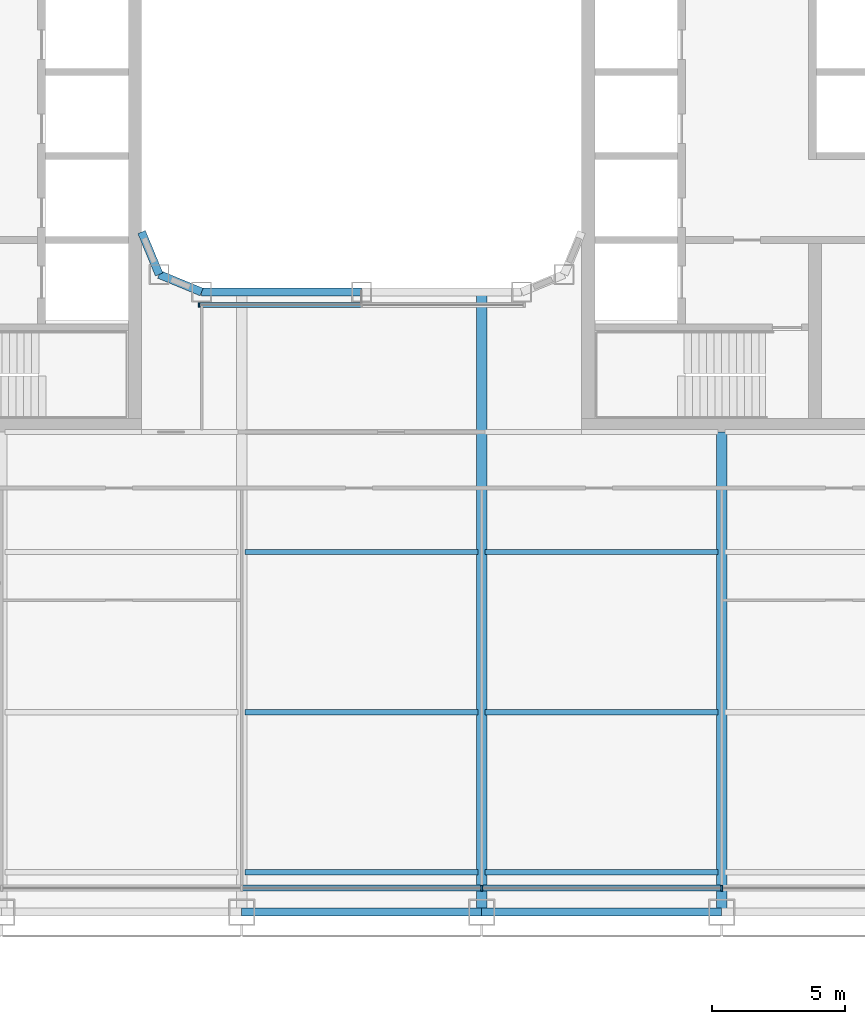
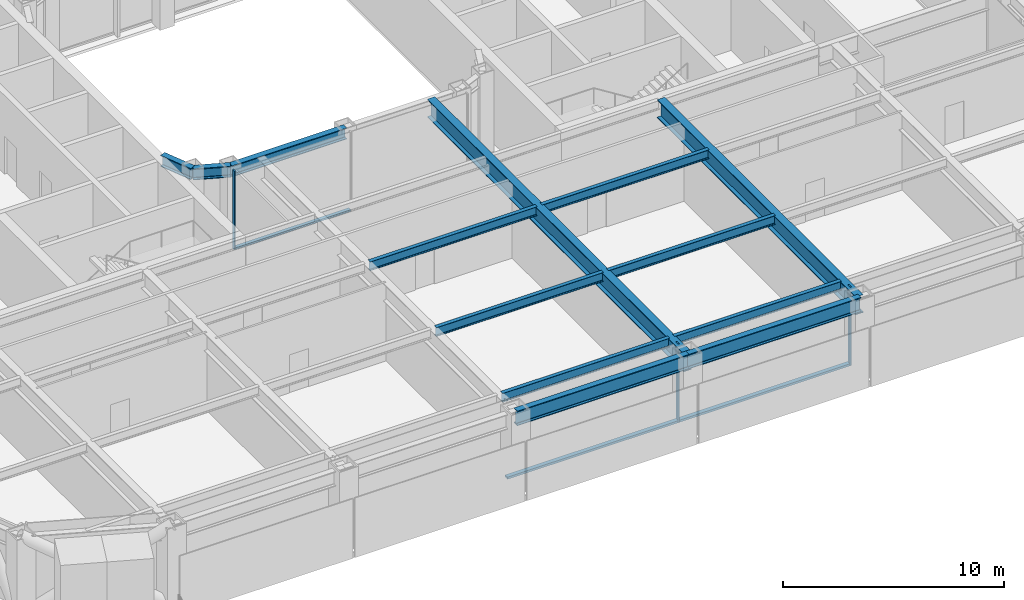
# One storey, part 3 of 27: 13 beams, 6 members, 2 elements without a shape of their own.
"""IFC4 building model written with IfcOpenShell, lengths in metres."""

from ifc_helpers import new_model, si_unit, direction, frame, origin, origin_2d, place, context, subcontext, project, spatial, rectangle, i_section, extrude, material, layer, layer_set, material_profile, profile_set, type_object, element, aggregate, save


model = new_model("IFC4")

# Units and contexts
model_context = context("Model", 3, precision=1e-05, world=origin(), true_north=direction((0.0, 1.0)))
body_context = subcontext(model_context, "Body", "Model", "MODEL_VIEW")
ifc_project = project(units=[si_unit("LENGTHUNIT", "METRE"), si_unit("AREAUNIT", "SQUARE_METRE"), si_unit("VOLUMEUNIT", "CUBIC_METRE"), si_unit("PLANEANGLEUNIT", "RADIAN"), si_unit("MASSUNIT", "GRAM", prefix="KILO")], contexts=[model_context])

# Site, building, storey
site_placement = place(None, origin())
site = spatial("IfcSite", under=ifc_project, at=site_placement, CompositionType="ELEMENT")
building_placement = place(site_placement, origin())
building = spatial("IfcBuilding", under=site, at=building_placement, Name="Siwar Civic Tower", CompositionType="ELEMENT")
storey_placement = place(building_placement, frame((0.0, 0.0, 53.699951171875)))
storey = spatial("IfcBuildingStorey", under=building, at=storey_placement, Name="L11", CompositionType="ELEMENT", Elevation=53.699951171875)

# Curtain wall, members
ifc_material_1 = material(Name="Aluminium and glass", Category="aluminium")
ifc_layer_1 = layer(ifc_material_1, 0.219970703125)
ifc_layer_set_1 = layer_set([ifc_layer_1], Name="Aluminium and glass")
curtain_wall_type_1 = type_object("IfcCurtainWallType", Name="ENV-CW-A", PredefinedType="NOTDEFINED", material=ifc_layer_set_1)
curtain_wall_1_placement = place(storey_placement, origin())
curtain_wall_1 = element("IfcCurtainWall", 1, at=curtain_wall_1_placement, inside=storey, type_object=curtain_wall_type_1, Name="Curtain wall A S", PredefinedType="NOTDEFINED")
ifc_material_2 = material(Name="Aluminium 6063-T6", Category="aluminium")
ifc_material_profile_1 = material_profile(ifc_material_2, rectangle(XDim=0.219970703125, YDim=0.070068359375, at=origin_2d()), Name="AL 220x70")
ifc_profile_set_1 = profile_set([ifc_material_profile_1], Name="Aluminium 6063-T6")
member_type_1 = type_object("IfcMemberType", Name="ENV-MULLION-A", PredefinedType="MULLION", material=ifc_profile_set_1)
member_1_placement = place(storey_placement, frame((4.5, -30.60009765625, 0.0), z_axis=(0.0, 0.0, 1.0), x_axis=(0.0, 1.0, 0.0)))
member_1 = element("IfcMember", 2, at=member_1_placement, type_object=member_type_1, Name="Mullion A S 4", PredefinedType="MULLION", context=body_context, shape_type="SweptSolid", body=[
    extrude(rectangle(XDim=0.219970703125, YDim=0.070068359375, at=origin_2d()), origin(), (0.0, 0.0, 1.0), 4.35009765625),
])
member_2_placement = place(storey_placement, frame((13.5, -30.60009765625, 0.0), z_axis=(0.0, 0.0, 1.0), x_axis=(0.0, 1.0, 0.0)))
member_2 = element("IfcMember", 3, at=member_2_placement, type_object=member_type_1, Name="Mullion A S 5", PredefinedType="MULLION", context=body_context, shape_type="SweptSolid", body=[
    extrude(rectangle(XDim=0.219970703125, YDim=0.070068359375, at=origin_2d()), origin(), (0.0, 0.0, 1.0), 4.35009765625),
])

# Curtain wall, member
ifc_material_3 = material(Name="Aluminium and glass", Category="aluminium")
ifc_layer_2 = layer(ifc_material_3, 0.179931640625)
ifc_layer_set_2 = layer_set([ifc_layer_2], Name="Aluminium and glass")
curtain_wall_type_2 = type_object("IfcCurtainWallType", Name="ENV-CW-W", PredefinedType="NOTDEFINED", material=ifc_layer_set_2)
curtain_wall_2_placement = place(storey_placement, origin())
curtain_wall_2 = element("IfcCurtainWall", 4, at=curtain_wall_2_placement, inside=storey, type_object=curtain_wall_type_2, Name="Curtain wall W WS", PredefinedType="NOTDEFINED")
ifc_material_4 = material(Name="Aluminium 6063-T6", Category="aluminium")
ifc_material_profile_2 = material_profile(ifc_material_4, rectangle(XDim=0.179931640625, YDim=0.06005859375, at=origin_2d()), Name="AL 180x60")
ifc_profile_set_2 = profile_set([ifc_material_profile_2], Name="Aluminium 6063-T6")
member_type_2 = type_object("IfcMemberType", Name="ENV-MULLION-W", PredefinedType="MULLION", material=ifc_profile_set_2)
member_3_placement = place(storey_placement, frame((-6.096435546875, -8.735107421875, 0.0), z_axis=(0.0, 0.0, 1.0), x_axis=(0.0, 1.0, 0.0)))
member_3 = element("IfcMember", 5, at=member_3_placement, type_object=member_type_2, Name="Mullion W WS 1", PredefinedType="MULLION", context=body_context, shape_type="SweptSolid", body=[
    extrude(rectangle(XDim=0.179931640625, YDim=0.06005859375, at=origin_2d()), origin(), (0.0, 0.0, 1.0), 4.35009765625),
])

# Member
ifc_material_5 = material(Name="Aluminium 6063-T6", Category="aluminium")
ifc_material_profile_3 = material_profile(ifc_material_5, rectangle(XDim=0.219970703125, YDim=0.1201171875, at=origin_2d()), Name="AL 220x120")
ifc_profile_set_3 = profile_set([ifc_material_profile_3], Name="Aluminium 6063-T6")
member_type_3 = type_object("IfcMemberType", Name="ENV-TRANSOM-A", PredefinedType="USERDEFINED", material=ifc_profile_set_3)
member_4_placement = place(storey_placement, frame((-4.465087890625, -30.60009765625, 0.06005859375), z_axis=(1.0, 0.0, 0.0), x_axis=(0.0, 1.0, 0.0)))
member_4 = element("IfcMember", 6, at=member_4_placement, type_object=member_type_3, Name="Transom A S 3", ObjectType="TRANSOM", PredefinedType="USERDEFINED", context=body_context, shape_type="SweptSolid", body=[
    extrude(rectangle(XDim=0.219970703125, YDim=0.1201171875, at=origin_2d()), origin(), (0.0, 0.0, 1.0), 8.93017578125),
])

member_5_placement = place(storey_placement, frame((4.534912109375, -30.60009765625, 0.06005859375), z_axis=(1.0, 0.0, 0.0), x_axis=(0.0, 1.0, 0.0)))
member_5 = element("IfcMember", 7, at=member_5_placement, type_object=member_type_3, Name="Transom A S 4", ObjectType="TRANSOM", PredefinedType="USERDEFINED", context=body_context, shape_type="SweptSolid", body=[
    extrude(rectangle(XDim=0.219970703125, YDim=0.1201171875, at=origin_2d()), origin(), (0.0, 0.0, 1.0), 8.93017578125),
])

aggregate(curtain_wall_1, [member_1, member_2, member_4, member_5])

ifc_material_6 = material(Name="Aluminium 6063-T6", Category="aluminium")
ifc_material_profile_4 = material_profile(ifc_material_6, rectangle(XDim=0.179931640625, YDim=0.10009765625, at=origin_2d()), Name="AL 180x100")
ifc_profile_set_4 = profile_set([ifc_material_profile_4], Name="Aluminium 6063-T6")
member_type_4 = type_object("IfcMemberType", Name="ENV-TRANSOM-W", PredefinedType="USERDEFINED", material=ifc_profile_set_4)
member_6_placement = place(storey_placement, frame((-6.06640625, -8.735107421875, 0.050048828125), z_axis=(1.0, 0.0, 0.0), x_axis=(0.0, 1.0, 0.0)))
member_6 = element("IfcMember", 8, at=member_6_placement, type_object=member_type_4, Name="Transom W WS 1", ObjectType="TRANSOM", PredefinedType="USERDEFINED", context=body_context, shape_type="SweptSolid", body=[
    extrude(rectangle(XDim=0.179931640625, YDim=0.10009765625, at=origin_2d()), origin(), (0.0, 0.0, 1.0), 6.036376953125),
])

aggregate(curtain_wall_2, [member_3, member_6])

# Beams
ifc_material_7 = material(Name="Steel S355", Category="steel")
ifc_material_profile_5 = material_profile(ifc_material_7, i_section(OverallWidth=0.199951171875, OverallDepth=0.5, WebThickness=0.01025390625, FlangeThickness=0.01611328125, FilletRadius=0.02099609375, at=origin_2d()), Name="IPE500")
ifc_profile_set_5 = profile_set([ifc_material_profile_5], Name="Steel S355")
beam_type_1 = type_object("IfcBeamType", Name="STR-FB-IPE500", PredefinedType="JOIST", material=ifc_profile_set_5)
for number, where, z_axis, x_axis, name in (
    (9, (-4.3701171875, -30.0, 4.10009765625), (1.0, 0.0, 0.0), (0.0, 1.0, 0.0), "L11/bm/F004"),
    (10, (4.6298828125, -30.0, 4.10009765625), (1.0, 0.0, 0.0), (0.0, 1.0, 0.0), "L11/bm/F005"),
    (11, (-4.3701171875, -24.0, 4.10009765625), (1.0, 0.0, 0.0), (0.0, 1.0, 0.0), "L11/bm/F011"),
    (12, (4.6298828125, -24.0, 4.10009765625), (1.0, 0.0, 0.0), (0.0, 1.0, 0.0), "L11/bm/F012"),
    (13, (-4.3701171875, -18.0, 4.10009765625), (1.0, 0.0, 0.0), (0.0, 1.0, 0.0), "L11/bm/F018"),
    (14, (4.6298828125, -18.0, 4.10009765625), (1.0, 0.0, 0.0), (0.0, 1.0, 0.0), "L11/bm/F019"),
):
    element("IfcBeam", number, at=place(storey_placement, frame(where, z_axis=z_axis, x_axis=x_axis)), inside=storey, type_object=beam_type_1, Name=name, PredefinedType="JOIST", context=body_context, shape_type="SweptSolid", body=[
        extrude(i_section(OverallWidth=0.199951171875, OverallDepth=0.5, WebThickness=0.01025390625, FlangeThickness=0.01611328125, FilletRadius=0.02099609375, at=origin_2d()), origin(), (0.0, 0.0, 1.0), 8.740234375),
    ])
ifc_material_8 = material(Name="Steel S355", Category="steel")
ifc_material_profile_6 = material_profile(ifc_material_8, i_section(OverallWidth=0.39990234375, OverallDepth=1.0, WebThickness=0.01611328125, FlangeThickness=0.0400390625, at=origin_2d()), Name="PG1000x400x16x40")
ifc_profile_set_6 = profile_set([ifc_material_profile_6], Name="Steel S355")
beam_type_2 = type_object("IfcBeamType", Name="STR-PG-PG1000x400x16x40", PredefinedType="BEAM", material=ifc_profile_set_6)
beam_1_placement = place(storey_placement, frame((4.5, -31.5, 3.85009765625), z_axis=(0.0, 1.0, 0.0), x_axis=(-1.0, 0.0, 0.0)))
element("IfcBeam", 15, at=beam_1_placement, inside=storey, type_object=beam_type_2, Name="L11/bm/G07", PredefinedType="BEAM", context=body_context, shape_type="SweptSolid", body=[
    extrude(i_section(OverallWidth=0.39990234375, OverallDepth=1.0, WebThickness=0.01611328125, FlangeThickness=0.0400390625, at=origin_2d()), origin(), (0.0, 0.0, 1.0), 23.25),
])
beam_2_placement = place(storey_placement, frame((13.5, -31.5, 3.85009765625), z_axis=(0.0, 1.0, 0.0), x_axis=(-1.0, 0.0, 0.0)))
element("IfcBeam", 16, at=beam_2_placement, inside=storey, type_object=beam_type_2, Name="L11/bm/G09", PredefinedType="BEAM", context=body_context, shape_type="SweptSolid", body=[
    extrude(i_section(OverallWidth=0.39990234375, OverallDepth=1.0, WebThickness=0.01611328125, FlangeThickness=0.0400390625, at=origin_2d()), origin(), (0.0, 0.0, 1.0), 18.0),
])
ifc_material_9 = material(Name="Steel S355", Category="steel")
ifc_material_profile_7 = material_profile(ifc_material_9, i_section(OverallWidth=0.304931640625, OverallDepth=0.6201171875, WebThickness=0.02099609375, FlangeThickness=0.0400390625, FilletRadius=0.027099609375, at=origin_2d()), Name="HEM600")
ifc_profile_set_7 = profile_set([ifc_material_profile_7], Name="Steel S355")
beam_type_3 = type_object("IfcBeamType", Name="STR-RB-HEM600", PredefinedType="BEAM", material=ifc_profile_set_7)
beam_3_placement = place(storey_placement, frame((-7.591064453125, -7.591064453125, 4.0400390625), z_axis=(0.923901072997, -0.382631424892, 0.0), x_axis=(0.382631424892, 0.923901072997, 0.0)))
element("IfcBeam", 17, at=beam_3_placement, inside=storey, type_object=beam_type_3, Name="L11/bm/RS0", PredefinedType="BEAM", context=body_context, shape_type="SweptSolid", body=[
    extrude(i_section(OverallWidth=0.304931640625, OverallDepth=0.6201171875, WebThickness=0.02099609375, FlangeThickness=0.0400390625, FilletRadius=0.027099609375, at=origin_2d()), origin(), (0.0, 0.0, 1.0), 1.72216796875),
])
beam_4_placement = place(storey_placement, frame((-6.0, -8.25, 4.0400390625), z_axis=(1.0, 0.0, 0.0), x_axis=(0.0, 1.0, 0.0)))
element("IfcBeam", 18, at=beam_4_placement, inside=storey, type_object=beam_type_3, Name="L11/bm/RS1", PredefinedType="BEAM", context=body_context, shape_type="SweptSolid", body=[
    extrude(i_section(OverallWidth=0.304931640625, OverallDepth=0.6201171875, WebThickness=0.02099609375, FlangeThickness=0.0400390625, FilletRadius=0.027099609375, at=origin_2d()), origin(), (0.0, 0.0, 1.0), 6.0),
])
beam_5_placement = place(storey_placement, frame((-7.591064453125, -7.591064453125, 4.0400390625), z_axis=(-0.382631424892, 0.923901072997, 0.0), x_axis=(-0.923901072997, -0.382631424892, 0.0)))
element("IfcBeam", 19, at=beam_5_placement, inside=storey, type_object=beam_type_3, Name="L11/bm/RSEW", PredefinedType="BEAM", context=body_context, shape_type="SweptSolid", body=[
    extrude(i_section(OverallWidth=0.304931640625, OverallDepth=0.6201171875, WebThickness=0.02099609375, FlangeThickness=0.0400390625, FilletRadius=0.027099609375, at=origin_2d()), origin(), (0.0, 0.0, 1.0), 1.72216796875),
])
ifc_material_10 = material(Name="Steel S355", Category="steel")
ifc_material_profile_8 = material_profile(ifc_material_10, i_section(OverallWidth=0.302978515625, OverallDepth=0.81396484375, WebThickness=0.02099609375, FlangeThickness=0.0400390625, FilletRadius=0.030029296875, at=origin_2d()), Name="HEM800")
ifc_profile_set_8 = profile_set([ifc_material_profile_8], Name="Steel S355")
beam_type_4 = type_object("IfcBeamType", Name="STR-SB-HEM800", PredefinedType="BEAM", material=ifc_profile_set_8)
for number, where, z_axis, x_axis, name in (
    (20, (-4.5, -31.5, 3.943115234375), (1.0, 0.0, 0.0), (0.0, 1.0, 0.0), "L11/bm/SS-2"),
    (21, (4.5, -31.5, 3.943115234375), (1.0, 0.0, 0.0), (0.0, 1.0, 0.0), "L11/bm/SS-3"),
):
    element("IfcBeam", number, at=place(storey_placement, frame(where, z_axis=z_axis, x_axis=x_axis)), inside=storey, type_object=beam_type_4, Name=name, PredefinedType="BEAM", context=body_context, shape_type="SweptSolid", body=[
        extrude(i_section(OverallWidth=0.302978515625, OverallDepth=0.81396484375, WebThickness=0.02099609375, FlangeThickness=0.0400390625, FilletRadius=0.030029296875, at=origin_2d()), origin(), (0.0, 0.0, 1.0), 9.0),
    ])

save(model, "model.ifc")
